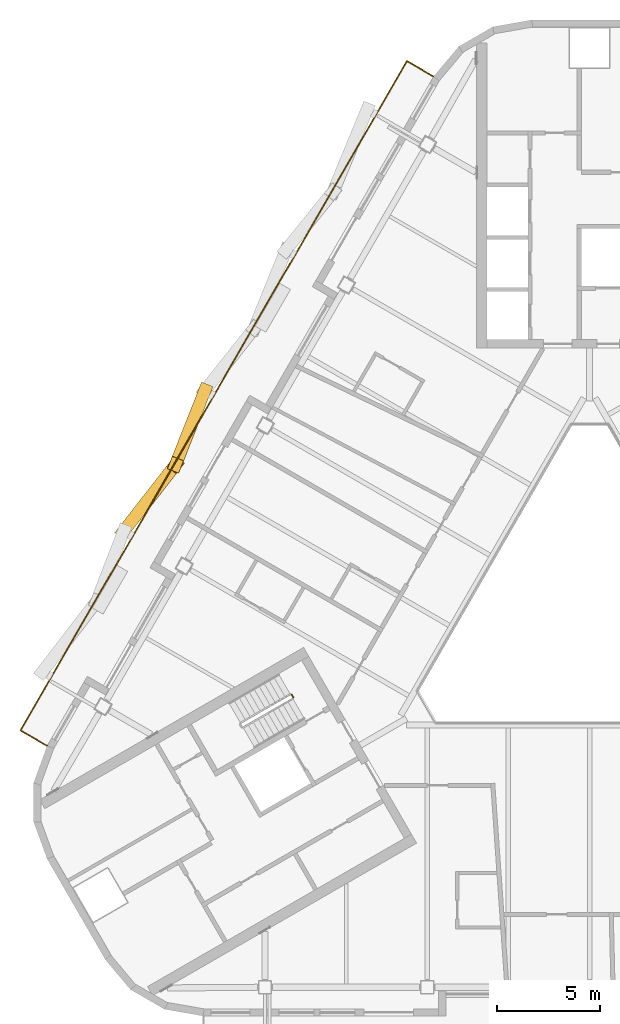
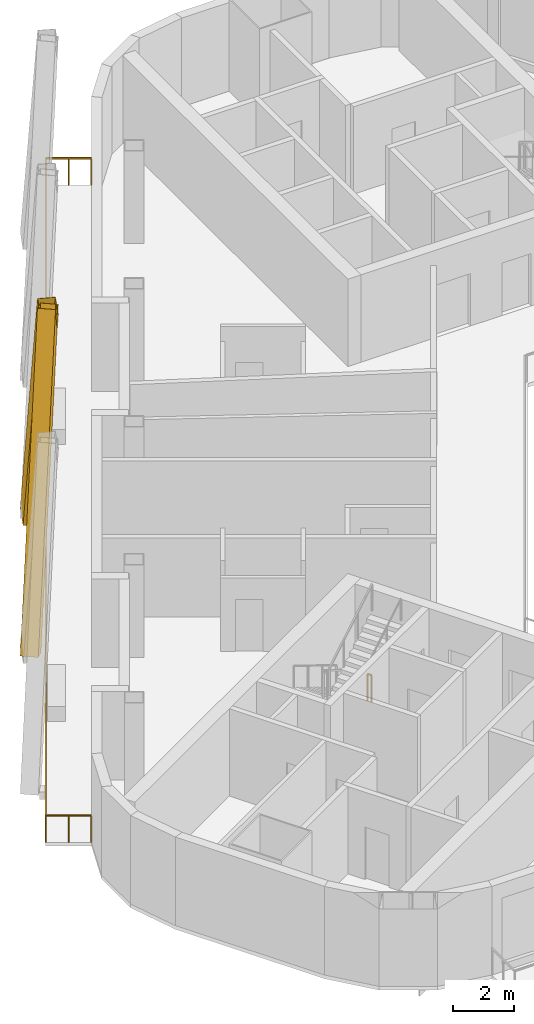
# One storey, part 14 of 18: 2 railings, 2 shading devices.
"""IFC4 building model written with IfcOpenShell, lengths in metres."""

from ifc_helpers import new_model, si_unit, direction, frame, origin, origin_2d, place, context, subcontext, project, spatial, rectangle, hollow_rectangle, extrude, material, material_profile, profile_set, type_object, element, save


model = new_model("IFC4")

# Units and contexts
model_context = context("Model", 3, precision=1e-05, world=origin(), true_north=direction((0.0, 1.0)))
body_context = subcontext(model_context, "Body", "Model", "MODEL_VIEW")
ifc_project = project(units=[si_unit("LENGTHUNIT", "METRE"), si_unit("AREAUNIT", "SQUARE_METRE"), si_unit("VOLUMEUNIT", "CUBIC_METRE"), si_unit("PLANEANGLEUNIT", "RADIAN"), si_unit("MASSUNIT", "GRAM", prefix="KILO")], contexts=[model_context])

# Site, building, storey
site_placement = place(None, origin())
site = spatial("IfcSite", under=ifc_project, at=site_placement, CompositionType="ELEMENT")
building_placement = place(site_placement, origin())
building = spatial("IfcBuilding", under=site, at=building_placement, Name="Apuvela Tower Hotel", CompositionType="ELEMENT")
storey_placement = place(building_placement, frame((0.0, 0.0, 246.699951171875)))
storey = spatial("IfcBuildingStorey", under=building, at=storey_placement, Name="L60", CompositionType="ELEMENT", Elevation=246.699951171875)

# Railing
ifc_material_1 = material(Name="Steel S275 balustrade", Category="steel")
railing_type_1 = type_object("IfcRailingType", Name="COR-GUARD-1100", PredefinedType="GUARDRAIL", material=ifc_material_1)
railing_1_placement = place(storey_placement, frame((-14.500732421875, -3.984130859375, 0.0)))
element("IfcRailing", 1, at=railing_1_placement, inside=storey, type_object=railing_type_1, Name="L60 ST2 stair guard 4", PredefinedType="GUARDRAIL", context=body_context, shape_type="SweptSolid", body=[
    extrude(rectangle(XDim=0.048095703125, YDim=0.048095703125, at=origin_2d()), frame((0.0, 0.0, 1.076171875), z_axis=(0.499816412211, -0.866131372301, 0.0), x_axis=(0.866131372301, 0.499816412211, 0.0)), (0.0, 0.0, 1.0), 0.14990234375),
    extrude(rectangle(XDim=0.0419921875, YDim=0.0419921875, at=origin_2d()), origin(), (0.0, 0.0, 1.0), 1.052001953125),
    extrude(rectangle(XDim=0.0419921875, YDim=0.0419921875, at=origin_2d()), frame((0.074951171875, -0.1298828125, 0.0)), (0.0, 0.0, 1.0), 1.052001953125),
])

# Shading devices
ifc_material_2 = material(Name="Aluminium 6063-T6, black anodised", Category="aluminium")
ifc_material_profile = material_profile(ifc_material_2, hollow_rectangle(XDim=0.60009765625, YDim=0.699951171875, WallThickness=0.011962890625, at=origin_2d()), Name="AL BOX 700x600x12")
ifc_profile_set = profile_set([ifc_material_profile], Name="Aluminium 6063-T6, black anodised")
shading_device_type = type_object("IfcShadingDeviceType", Name="ENV-FIN-700x600", PredefinedType="USERDEFINED", material=ifc_profile_set)
shading_device_1_placement = place(storey_placement, frame((-18.732177734375, 10.81494140625, -0.099853515625), z_axis=(-0.121347430225, -0.306649358242, 0.944055598081), x_axis=(0.92984252019, -0.367957725352, 0.0)))
element("IfcShadingDevice", 2, at=shading_device_1_placement, inside=storey, type_object=shading_device_type, Name="Lattice fin NW597", ObjectType="FIN", PredefinedType="USERDEFINED", context=body_context, shape_type="SweptSolid", body=[
    extrude(hollow_rectangle(XDim=0.60009765625, YDim=0.699951171875, WallThickness=0.011962890625, at=origin_2d()), origin(), (0.0, 0.0, 1.0), 11.757568359375),
])
shading_device_2_placement = place(storey_placement, frame((-22.68212890625, 3.973388671875, -0.099853515625), z_axis=(0.213214121661, 0.273454589513, 0.937956462635), x_axis=(-0.788614818164, 0.61488752514, 0.0)))
element("IfcShadingDevice", 3, at=shading_device_2_placement, inside=storey, type_object=shading_device_type, Name="Lattice fin NW598", ObjectType="FIN", PredefinedType="USERDEFINED", context=body_context, shape_type="SweptSolid", body=[
    extrude(hollow_rectangle(XDim=0.60009765625, YDim=0.699951171875, WallThickness=0.011962890625, at=origin_2d()), origin(), (0.0, 0.0, 1.0), 11.833984375),
])

# Railing
ifc_material_3 = material(Name="Stainless steel 316 rail with laminated glass infill", Category="steel")
railing_type_2 = type_object("IfcRailingType", Name="ENV-GUARD-1100", PredefinedType="GUARDRAIL", material=ifc_material_3)
railing_2_placement = place(storey_placement, frame((-7.59228515625, 26.110107421875, 0.0)))
element("IfcRailing", 4, at=railing_2_placement, inside=storey, type_object=railing_type_2, Name="Balcony guard NW L60", PredefinedType="GUARDRAIL", context=body_context, shape_type="SweptSolid", body=[
    extrude(rectangle(XDim=0.050048828125, YDim=0.050048828125, at=origin_2d()), frame((0.0, 0.0, 1.0751953125), z_axis=(-0.86599040064, 0.500060622324, 0.0), x_axis=(-0.500060622324, -0.86599040064, 0.0)), (0.0, 0.0, 1.0), 1.499755859375),
    extrude(rectangle(XDim=0.050048828125, YDim=0.050048828125, at=origin_2d()), frame((-1.298828125, 0.75, 1.0751953125), z_axis=(-0.500000437506, -0.86602515119, 0.0), x_axis=(0.86602515119, -0.500000437506, 0.0)), (0.0, 0.0, 1.0), 37.6318359375),
    extrude(rectangle(XDim=0.050048828125, YDim=0.050048828125, at=origin_2d()), frame((-20.11474609375, -31.840087890625, 1.0751953125), z_axis=(0.866031096941, -0.499990139034, 0.0), x_axis=(0.499990139034, 0.866031096941, 0.0)), (0.0, 0.0, 1.0), 1.5),
    extrude(rectangle(XDim=0.0400390625, YDim=0.0400390625, at=origin_2d()), origin(), (0.0, 0.0, 1.0), 1.050048828125),
    extrude(rectangle(XDim=0.0400390625, YDim=0.0400390625, at=origin_2d()), frame((-0.6494140625, 0.375, 0.0)), (0.0, 0.0, 1.0), 1.050048828125),
    extrude(rectangle(XDim=0.0400390625, YDim=0.0400390625, at=origin_2d()), frame((-1.298828125, 0.75, 0.0)), (0.0, 0.0, 1.0), 1.050048828125),
    extrude(rectangle(XDim=0.0400390625, YDim=0.0400390625, at=origin_2d()), frame((-1.88671875, -0.2685546875, 0.0)), (0.0, 0.0, 1.0), 1.050048828125),
    extrude(rectangle(XDim=0.0400390625, YDim=0.0400390625, at=origin_2d()), frame((-2.474853515625, -1.286865234375, 0.0)), (0.0, 0.0, 1.0), 1.050048828125),
    extrude(rectangle(XDim=0.0400390625, YDim=0.0400390625, at=origin_2d()), frame((-3.062744140625, -2.305419921875, 0.0)), (0.0, 0.0, 1.0), 1.050048828125),
    extrude(rectangle(XDim=0.0400390625, YDim=0.0400390625, at=origin_2d()), frame((-3.65087890625, -3.32373046875, 0.0)), (0.0, 0.0, 1.0), 1.050048828125),
    extrude(rectangle(XDim=0.0400390625, YDim=0.0400390625, at=origin_2d()), frame((-4.23876953125, -4.34228515625, 0.0)), (0.0, 0.0, 1.0), 1.050048828125),
    extrude(rectangle(XDim=0.0400390625, YDim=0.0400390625, at=origin_2d()), frame((-4.826904296875, -5.360595703125, 0.0)), (0.0, 0.0, 1.0), 1.050048828125),
    extrude(rectangle(XDim=0.0400390625, YDim=0.0400390625, at=origin_2d()), frame((-5.414794921875, -6.379150390625, 0.0)), (0.0, 0.0, 1.0), 1.050048828125),
    extrude(rectangle(XDim=0.0400390625, YDim=0.0400390625, at=origin_2d()), frame((-6.0029296875, -7.3974609375, 0.0)), (0.0, 0.0, 1.0), 1.050048828125),
    extrude(rectangle(XDim=0.0400390625, YDim=0.0400390625, at=origin_2d()), frame((-6.5908203125, -8.416015625, 0.0)), (0.0, 0.0, 1.0), 1.050048828125),
    extrude(rectangle(XDim=0.0400390625, YDim=0.0400390625, at=origin_2d()), frame((-7.1787109375, -9.434326171875, 0.0)), (0.0, 0.0, 1.0), 1.050048828125),
    extrude(rectangle(XDim=0.0400390625, YDim=0.0400390625, at=origin_2d()), frame((-7.766845703125, -10.452880859375, 0.0)), (0.0, 0.0, 1.0), 1.050048828125),
    extrude(rectangle(XDim=0.0400390625, YDim=0.0400390625, at=origin_2d()), frame((-8.354736328125, -11.47119140625, 0.0)), (0.0, 0.0, 1.0), 1.050048828125),
    extrude(rectangle(XDim=0.0400390625, YDim=0.0400390625, at=origin_2d()), frame((-8.94287109375, -12.48974609375, 0.0)), (0.0, 0.0, 1.0), 1.050048828125),
    extrude(rectangle(XDim=0.0400390625, YDim=0.0400390625, at=origin_2d()), frame((-9.53076171875, -13.508056640625, 0.0)), (0.0, 0.0, 1.0), 1.050048828125),
    extrude(rectangle(XDim=0.0400390625, YDim=0.0400390625, at=origin_2d()), frame((-10.118896484375, -14.526611328125, 0.0)), (0.0, 0.0, 1.0), 1.050048828125),
    extrude(rectangle(XDim=0.0400390625, YDim=0.0400390625, at=origin_2d()), frame((-10.706787109375, -15.544921875, 0.0)), (0.0, 0.0, 1.0), 1.050048828125),
    extrude(rectangle(XDim=0.0400390625, YDim=0.0400390625, at=origin_2d()), frame((-11.294677734375, -16.5634765625, 0.0)), (0.0, 0.0, 1.0), 1.050048828125),
    extrude(rectangle(XDim=0.0400390625, YDim=0.0400390625, at=origin_2d()), frame((-11.8828125, -17.58203125, 0.0)), (0.0, 0.0, 1.0), 1.050048828125),
    extrude(rectangle(XDim=0.0400390625, YDim=0.0400390625, at=origin_2d()), frame((-12.470703125, -18.600341796875, 0.0)), (0.0, 0.0, 1.0), 1.050048828125),
    extrude(rectangle(XDim=0.0400390625, YDim=0.0400390625, at=origin_2d()), frame((-13.058837890625, -19.618896484375, 0.0)), (0.0, 0.0, 1.0), 1.050048828125),
    extrude(rectangle(XDim=0.0400390625, YDim=0.0400390625, at=origin_2d()), frame((-13.646728515625, -20.63720703125, 0.0)), (0.0, 0.0, 1.0), 1.050048828125),
    extrude(rectangle(XDim=0.0400390625, YDim=0.0400390625, at=origin_2d()), frame((-14.23486328125, -21.65576171875, 0.0)), (0.0, 0.0, 1.0), 1.050048828125),
    extrude(rectangle(XDim=0.0400390625, YDim=0.0400390625, at=origin_2d()), frame((-14.82275390625, -22.674072265625, 0.0)), (0.0, 0.0, 1.0), 1.050048828125),
    extrude(rectangle(XDim=0.0400390625, YDim=0.0400390625, at=origin_2d()), frame((-15.41064453125, -23.692626953125, 0.0)), (0.0, 0.0, 1.0), 1.050048828125),
    extrude(rectangle(XDim=0.0400390625, YDim=0.0400390625, at=origin_2d()), frame((-15.998779296875, -24.7109375, 0.0)), (0.0, 0.0, 1.0), 1.050048828125),
    extrude(rectangle(XDim=0.0400390625, YDim=0.0400390625, at=origin_2d()), frame((-16.586669921875, -25.7294921875, 0.0)), (0.0, 0.0, 1.0), 1.050048828125),
    extrude(rectangle(XDim=0.0400390625, YDim=0.0400390625, at=origin_2d()), frame((-17.1748046875, -26.747802734375, 0.0)), (0.0, 0.0, 1.0), 1.050048828125),
    extrude(rectangle(XDim=0.0400390625, YDim=0.0400390625, at=origin_2d()), frame((-17.7626953125, -27.766357421875, 0.0)), (0.0, 0.0, 1.0), 1.050048828125),
    extrude(rectangle(XDim=0.0400390625, YDim=0.0400390625, at=origin_2d()), frame((-18.350830078125, -28.78466796875, 0.0)), (0.0, 0.0, 1.0), 1.050048828125),
    extrude(rectangle(XDim=0.0400390625, YDim=0.0400390625, at=origin_2d()), frame((-18.938720703125, -29.80322265625, 0.0)), (0.0, 0.0, 1.0), 1.050048828125),
    extrude(rectangle(XDim=0.0400390625, YDim=0.0400390625, at=origin_2d()), frame((-19.52685546875, -30.821533203125, 0.0)), (0.0, 0.0, 1.0), 1.050048828125),
    extrude(rectangle(XDim=0.0400390625, YDim=0.0400390625, at=origin_2d()), frame((-20.11474609375, -31.840087890625, 0.0)), (0.0, 0.0, 1.0), 1.050048828125),
    extrude(rectangle(XDim=0.0400390625, YDim=0.0400390625, at=origin_2d()), frame((-19.46533203125, -32.215087890625, 0.0)), (0.0, 0.0, 1.0), 1.050048828125),
    extrude(rectangle(XDim=0.0400390625, YDim=0.0400390625, at=origin_2d()), frame((-18.815673828125, -32.590087890625, 0.0)), (0.0, 0.0, 1.0), 1.050048828125),
])

save(model, "model.ifc")
